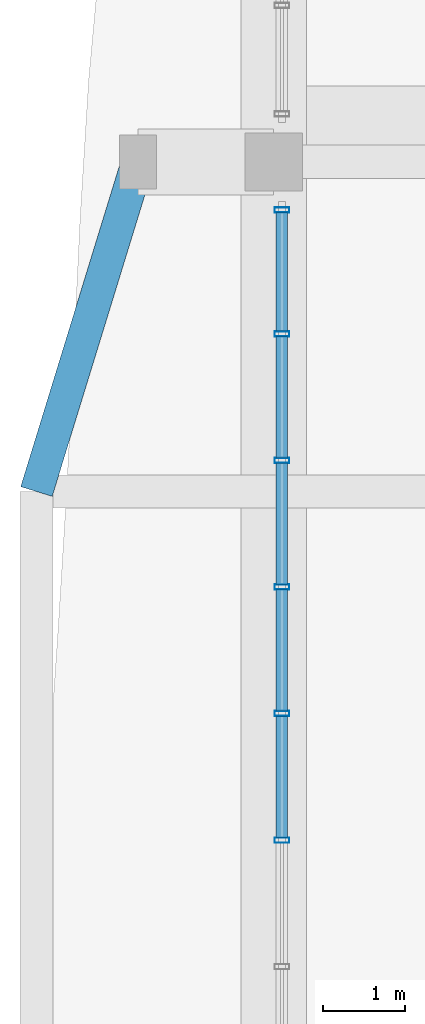
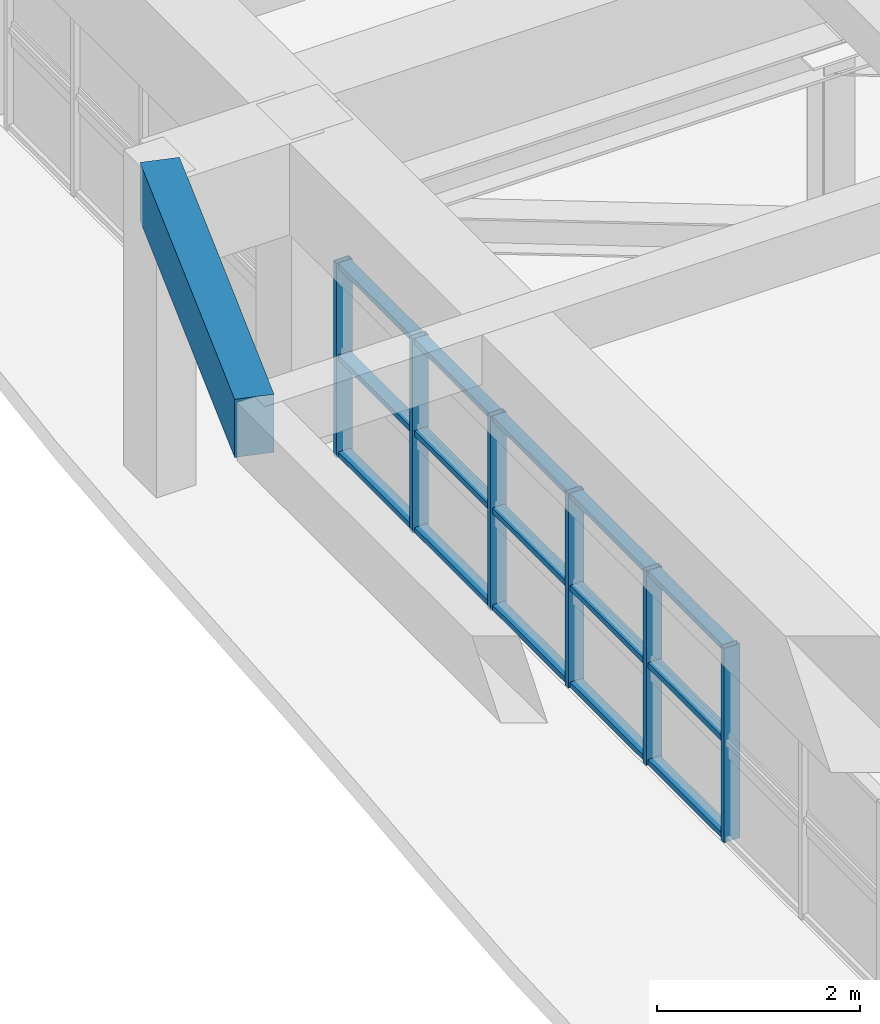
# One storey, part 7 of 25: 21 members, 1 beam, 1 element without a shape of its own.
"""IFC4 building model written with IfcOpenShell, lengths in metres."""

from ifc_helpers import new_model, si_unit, direction, frame, origin, origin_2d, place, context, subcontext, project, spatial, rectangle, hollow_rectangle, extrude, source, transform, mapped, material, layer, layer_set, material_profile, profile_set, type_object, element, aggregate, save


model = new_model("IFC4")

# Units and contexts
model_context = context("Model", 3, precision=1e-05, world=origin(), true_north=direction((0.0, 1.0)))
body_context = subcontext(model_context, "Body", "Model", "MODEL_VIEW")
ifc_project = project(units=[si_unit("LENGTHUNIT", "METRE"), si_unit("AREAUNIT", "SQUARE_METRE"), si_unit("VOLUMEUNIT", "CUBIC_METRE"), si_unit("PLANEANGLEUNIT", "RADIAN"), si_unit("MASSUNIT", "GRAM", prefix="KILO")], contexts=[model_context])

# Site, building, storey
site_placement = place(None, origin())
site = spatial("IfcSite", under=ifc_project, at=site_placement, CompositionType="ELEMENT")
building_placement = place(site_placement, origin())
building = spatial("IfcBuilding", under=site, at=building_placement, Name="Saelheon Loggia Tower", CompositionType="ELEMENT")
storey_placement = place(building_placement, frame((0.0, 0.0, 206.5)))
storey = spatial("IfcBuildingStorey", under=building, at=storey_placement, Name="L64", CompositionType="ELEMENT", Elevation=206.5)

# Beam
ifc_material_1 = material(Name="Precast Concrete C45/55", Category="concrete")
ifc_material_profile_1 = material_profile(ifc_material_1, rectangle(XDim=0.39990234375, YDim=0.699951171875, at=origin_2d()), Name="RC-400x700")
ifc_profile_set_1 = profile_set([ifc_material_profile_1], Name="Precast Concrete C45/55")
beam_type = type_object("IfcBeamType", Name="Beam_LoggiaSpandrel_RC400x700", PredefinedType="SPANDREL", material=ifc_profile_set_1)
shared_shape_1 = source(origin(), body_context, "Body", "SweptSolid", [
    extrude(rectangle(XDim=0.39990234375, YDim=0.699951171875, at=origin_2d()), origin(), (0.0, 0.0, 1.0), 4.184814453125),
])
beam_placement = place(storey_placement, frame((16.6201171875, 32.0, 3.449951171875), z_axis=(0.293913664135, 0.955831971653, 0.0), x_axis=(-0.955831971653, 0.293913664135, 0.0)))
element("IfcBeam", 1, at=beam_placement, inside=storey, type_object=beam_type, Name="L64 Curved Loggia Spandrel W 3", PredefinedType="SPANDREL", context=body_context, shape_type="MappedRepresentation", body=[
    mapped(shared_shape_1, transform((0.0, 0.0, 0.0), scale=1.0)),
])

# Curtain wall, members
ifc_material_2 = material(Name="Anodised Aluminium Acoustic Louvre Curtain Wall", Category="aluminium")
ifc_layer = layer(ifc_material_2, 0.179931640625)
ifc_layer_set = layer_set([ifc_layer], Name="Anodised Aluminium Acoustic Louvre Curtain Wall")
curtain_wall_type = type_object("IfcCurtainWallType", Name="CW_RefugeAcoustic", PredefinedType="NOTDEFINED", material=ifc_layer_set)
curtain_wall_placement = place(storey_placement, origin())
curtain_wall = element("IfcCurtainWall", 2, at=curtain_wall_placement, inside=storey, type_object=curtain_wall_type, Name="L64 W Refuge Acoustic Curtain Wall 2", PredefinedType="NOTDEFINED")
ifc_material_3 = material(Name="Anodised Aluminium 6063-T6", Category="aluminium")
ifc_material_profile_2 = material_profile(ifc_material_3, hollow_rectangle(XDim=0.06494140625, YDim=0.139892578125, WallThickness=0.00390625, at=origin_2d()), Name="RHS-140x65x4")
ifc_profile_set_2 = profile_set([ifc_material_profile_2], Name="Anodised Aluminium 6063-T6")
member_type_1 = type_object("IfcMemberType", Name="CW_RefugeAcoustic_Transom", PredefinedType="USERDEFINED", material=ifc_profile_set_2)
shared_shape_2 = source(origin(), body_context, "Body", "SweptSolid", [
    extrude(hollow_rectangle(XDim=0.06494140625, YDim=0.139892578125, WallThickness=0.00390625, at=origin_2d()), origin(), (0.0, 0.0, 1.0), 1.43896484375),
])
member_1_placement = place(storey_placement, frame((19.60009765625, 33.946044921875, 0.032470703125), z_axis=(0.0, 1.0, 0.0), x_axis=(0.0, 0.0, 1.0)))
member_1 = element("IfcMember", 3, at=member_1_placement, type_object=member_type_1, Name="CW5 transom 11.1", ObjectType="TRANSOM", PredefinedType="USERDEFINED", context=body_context, shape_type="MappedRepresentation", body=[
    mapped(shared_shape_2, transform((0.0, 0.0, 0.0), scale=1.0)),
])
member_2_placement = place(storey_placement, frame((19.60009765625, 33.946044921875, 1.199951171875), z_axis=(0.0, 1.0, 0.0), x_axis=(0.0, 0.0, 1.0)))
member_2 = element("IfcMember", 4, at=member_2_placement, type_object=member_type_1, Name="CW5 transom 11.2", ObjectType="TRANSOM", PredefinedType="USERDEFINED", context=body_context, shape_type="MappedRepresentation", body=[
    mapped(shared_shape_2, transform((0.0, 0.0, 0.0), scale=1.0)),
])
member_3_placement = place(storey_placement, frame((19.60009765625, 33.946044921875, 2.3076171875), z_axis=(0.0, 1.0, 0.0), x_axis=(0.0, 0.0, 1.0)))
member_3 = element("IfcMember", 5, at=member_3_placement, type_object=member_type_1, Name="CW5 transom 11.3", ObjectType="TRANSOM", PredefinedType="USERDEFINED", context=body_context, shape_type="MappedRepresentation", body=[
    mapped(shared_shape_2, transform((0.0, 0.0, 0.0), scale=1.0)),
])
shared_shape_3 = source(origin(), body_context, "Body", "SweptSolid", [
    extrude(hollow_rectangle(XDim=0.06494140625, YDim=0.139892578125, WallThickness=0.00390625, at=origin_2d()), origin(), (0.0, 0.0, 1.0), 1.471435546875),
])
member_4_placement = place(storey_placement, frame((19.60009765625, 30.873291015625, 0.032470703125), z_axis=(0.0, 1.0, 0.0), x_axis=(0.0, 0.0, 1.0)))
member_4 = element("IfcMember", 6, at=member_4_placement, type_object=member_type_1, Name="CW5 transom 9.1", ObjectType="TRANSOM", PredefinedType="USERDEFINED", context=body_context, shape_type="MappedRepresentation", body=[
    mapped(shared_shape_3, transform((0.0, 0.0, 0.0), scale=1.0)),
])
member_5_placement = place(storey_placement, frame((19.60009765625, 30.873291015625, 1.199951171875), z_axis=(0.0, 1.0, 0.0), x_axis=(0.0, 0.0, 1.0)))
member_5 = element("IfcMember", 7, at=member_5_placement, type_object=member_type_1, Name="CW5 transom 9.2", ObjectType="TRANSOM", PredefinedType="USERDEFINED", context=body_context, shape_type="MappedRepresentation", body=[
    mapped(shared_shape_3, transform((0.0, 0.0, 0.0), scale=1.0)),
])
member_6_placement = place(storey_placement, frame((19.60009765625, 30.873291015625, 2.3076171875), z_axis=(0.0, 1.0, 0.0), x_axis=(0.0, 0.0, 1.0)))
member_6 = element("IfcMember", 8, at=member_6_placement, type_object=member_type_1, Name="CW5 transom 9.3", ObjectType="TRANSOM", PredefinedType="USERDEFINED", context=body_context, shape_type="MappedRepresentation", body=[
    mapped(shared_shape_3, transform((0.0, 0.0, 0.0), scale=1.0)),
])
member_7_placement = place(storey_placement, frame((19.60009765625, 32.40966796875, 0.032470703125), z_axis=(0.0, 1.0, 0.0), x_axis=(0.0, 0.0, 1.0)))
member_7 = element("IfcMember", 9, at=member_7_placement, type_object=member_type_1, Name="CW5 transom 10.1", ObjectType="TRANSOM", PredefinedType="USERDEFINED", context=body_context, shape_type="MappedRepresentation", body=[
    mapped(shared_shape_3, transform((0.0, 0.0, 0.0), scale=1.0)),
])
member_8_placement = place(storey_placement, frame((19.60009765625, 32.40966796875, 1.199951171875), z_axis=(0.0, 1.0, 0.0), x_axis=(0.0, 0.0, 1.0)))
member_8 = element("IfcMember", 10, at=member_8_placement, type_object=member_type_1, Name="CW5 transom 10.2", ObjectType="TRANSOM", PredefinedType="USERDEFINED", context=body_context, shape_type="MappedRepresentation", body=[
    mapped(shared_shape_3, transform((0.0, 0.0, 0.0), scale=1.0)),
])
member_9_placement = place(storey_placement, frame((19.60009765625, 32.40966796875, 2.3076171875), z_axis=(0.0, 1.0, 0.0), x_axis=(0.0, 0.0, 1.0)))
member_9 = element("IfcMember", 11, at=member_9_placement, type_object=member_type_1, Name="CW5 transom 10.3", ObjectType="TRANSOM", PredefinedType="USERDEFINED", context=body_context, shape_type="MappedRepresentation", body=[
    mapped(shared_shape_3, transform((0.0, 0.0, 0.0), scale=1.0)),
])
shared_shape_4 = source(origin(), body_context, "Body", "SweptSolid", [
    extrude(hollow_rectangle(XDim=0.06494140625, YDim=0.139892578125, WallThickness=0.00390625, at=origin_2d()), origin(), (0.0, 0.0, 1.0), 1.47119140625),
])
member_10_placement = place(storey_placement, frame((19.60009765625, 27.80078125, 0.032470703125), z_axis=(0.0, 1.0, 0.0), x_axis=(0.0, 0.0, 1.0)))
member_10 = element("IfcMember", 12, at=member_10_placement, type_object=member_type_1, Name="CW5 transom 7.1", ObjectType="TRANSOM", PredefinedType="USERDEFINED", context=body_context, shape_type="MappedRepresentation", body=[
    mapped(shared_shape_4, transform((0.0, 0.0, 0.0), scale=1.0)),
])
member_11_placement = place(storey_placement, frame((19.60009765625, 27.80078125, 1.199951171875), z_axis=(0.0, 1.0, 0.0), x_axis=(0.0, 0.0, 1.0)))
member_11 = element("IfcMember", 13, at=member_11_placement, type_object=member_type_1, Name="CW5 transom 7.2", ObjectType="TRANSOM", PredefinedType="USERDEFINED", context=body_context, shape_type="MappedRepresentation", body=[
    mapped(shared_shape_4, transform((0.0, 0.0, 0.0), scale=1.0)),
])
member_12_placement = place(storey_placement, frame((19.60009765625, 27.80078125, 2.3076171875), z_axis=(0.0, 1.0, 0.0), x_axis=(0.0, 0.0, 1.0)))
member_12 = element("IfcMember", 14, at=member_12_placement, type_object=member_type_1, Name="CW5 transom 7.3", ObjectType="TRANSOM", PredefinedType="USERDEFINED", context=body_context, shape_type="MappedRepresentation", body=[
    mapped(shared_shape_4, transform((0.0, 0.0, 0.0), scale=1.0)),
])
member_13_placement = place(storey_placement, frame((19.60009765625, 29.337158203125, 0.032470703125), z_axis=(0.0, 1.0, 0.0), x_axis=(0.0, 0.0, 1.0)))
member_13 = element("IfcMember", 15, at=member_13_placement, type_object=member_type_1, Name="CW5 transom 8.1", ObjectType="TRANSOM", PredefinedType="USERDEFINED", context=body_context, shape_type="MappedRepresentation", body=[
    mapped(shared_shape_4, transform((0.0, 0.0, 0.0), scale=1.0)),
])
member_14_placement = place(storey_placement, frame((19.60009765625, 29.337158203125, 1.199951171875), z_axis=(0.0, 1.0, 0.0), x_axis=(0.0, 0.0, 1.0)))
member_14 = element("IfcMember", 16, at=member_14_placement, type_object=member_type_1, Name="CW5 transom 8.2", ObjectType="TRANSOM", PredefinedType="USERDEFINED", context=body_context, shape_type="MappedRepresentation", body=[
    mapped(shared_shape_4, transform((0.0, 0.0, 0.0), scale=1.0)),
])
member_15_placement = place(storey_placement, frame((19.60009765625, 29.337158203125, 2.3076171875), z_axis=(0.0, 1.0, 0.0), x_axis=(0.0, 0.0, 1.0)))
member_15 = element("IfcMember", 17, at=member_15_placement, type_object=member_type_1, Name="CW5 transom 8.3", ObjectType="TRANSOM", PredefinedType="USERDEFINED", context=body_context, shape_type="MappedRepresentation", body=[
    mapped(shared_shape_4, transform((0.0, 0.0, 0.0), scale=1.0)),
])
ifc_material_profile_3 = material_profile(ifc_material_3, hollow_rectangle(XDim=0.06494140625, YDim=0.179931640625, WallThickness=0.00390625, at=origin_2d()), Name="RHS-180x65x4")
ifc_profile_set_3 = profile_set([ifc_material_profile_3], Name="Anodised Aluminium 6063-T6")
member_type_2 = type_object("IfcMemberType", Name="CW_RefugeAcoustic_Mullion", PredefinedType="MULLION", material=ifc_profile_set_3)
shared_shape_5 = source(origin(), body_context, "Body", "SweptSolid", [
    extrude(hollow_rectangle(XDim=0.06494140625, YDim=0.179931640625, WallThickness=0.00390625, at=origin_2d()), origin(), (0.0, 0.0, 1.0), 2.340087890625),
])
member_16_placement = place(storey_placement, frame((19.60009765625, 27.76806640625, 0.0), z_axis=(0.0, 0.0, 1.0), x_axis=(0.0, 1.0, 0.0)))
member_16 = element("IfcMember", 18, at=member_16_placement, type_object=member_type_2, Name="CW5 mullion 7", PredefinedType="MULLION", context=body_context, shape_type="MappedRepresentation", body=[
    mapped(shared_shape_5, transform((0.0, 0.0, 0.0), scale=1.0)),
])
member_17_placement = place(storey_placement, frame((19.60009765625, 29.304443359375, 0.0), z_axis=(0.0, 0.0, 1.0), x_axis=(0.0, 1.0, 0.0)))
member_17 = element("IfcMember", 19, at=member_17_placement, type_object=member_type_2, Name="CW5 mullion 8", PredefinedType="MULLION", context=body_context, shape_type="MappedRepresentation", body=[
    mapped(shared_shape_5, transform((0.0, 0.0, 0.0), scale=1.0)),
])
member_18_placement = place(storey_placement, frame((19.60009765625, 30.8408203125, 0.0), z_axis=(0.0, 0.0, 1.0), x_axis=(0.0, 1.0, 0.0)))
member_18 = element("IfcMember", 20, at=member_18_placement, type_object=member_type_2, Name="CW5 mullion 9", PredefinedType="MULLION", context=body_context, shape_type="MappedRepresentation", body=[
    mapped(shared_shape_5, transform((0.0, 0.0, 0.0), scale=1.0)),
])
member_19_placement = place(storey_placement, frame((19.60009765625, 32.377197265625, 0.0), z_axis=(0.0, 0.0, 1.0), x_axis=(0.0, 1.0, 0.0)))
member_19 = element("IfcMember", 21, at=member_19_placement, type_object=member_type_2, Name="CW5 mullion 10", PredefinedType="MULLION", context=body_context, shape_type="MappedRepresentation", body=[
    mapped(shared_shape_5, transform((0.0, 0.0, 0.0), scale=1.0)),
])
member_20_placement = place(storey_placement, frame((19.60009765625, 33.91357421875, 0.0), z_axis=(0.0, 0.0, 1.0), x_axis=(0.0, 1.0, 0.0)))
member_20 = element("IfcMember", 22, at=member_20_placement, type_object=member_type_2, Name="CW5 mullion 11", PredefinedType="MULLION", context=body_context, shape_type="MappedRepresentation", body=[
    mapped(shared_shape_5, transform((0.0, 0.0, 0.0), scale=1.0)),
])
member_21_placement = place(storey_placement, frame((19.60009765625, 35.41748046875, 0.0), z_axis=(0.0, 0.0, 1.0), x_axis=(0.0, 1.0, 0.0)))
member_21 = element("IfcMember", 23, at=member_21_placement, type_object=member_type_2, Name="CW5 mullion 12", PredefinedType="MULLION", context=body_context, shape_type="MappedRepresentation", body=[
    mapped(shared_shape_5, transform((0.0, 0.0, 0.0), scale=1.0)),
])
aggregate(curtain_wall, [member_16, member_17, member_18, member_19, member_20, member_21, member_10, member_11, member_12, member_13, member_14, member_15, member_4, member_5, member_6, member_7, member_8, member_9, member_1, member_2, member_3])

save(model, "model.ifc")
